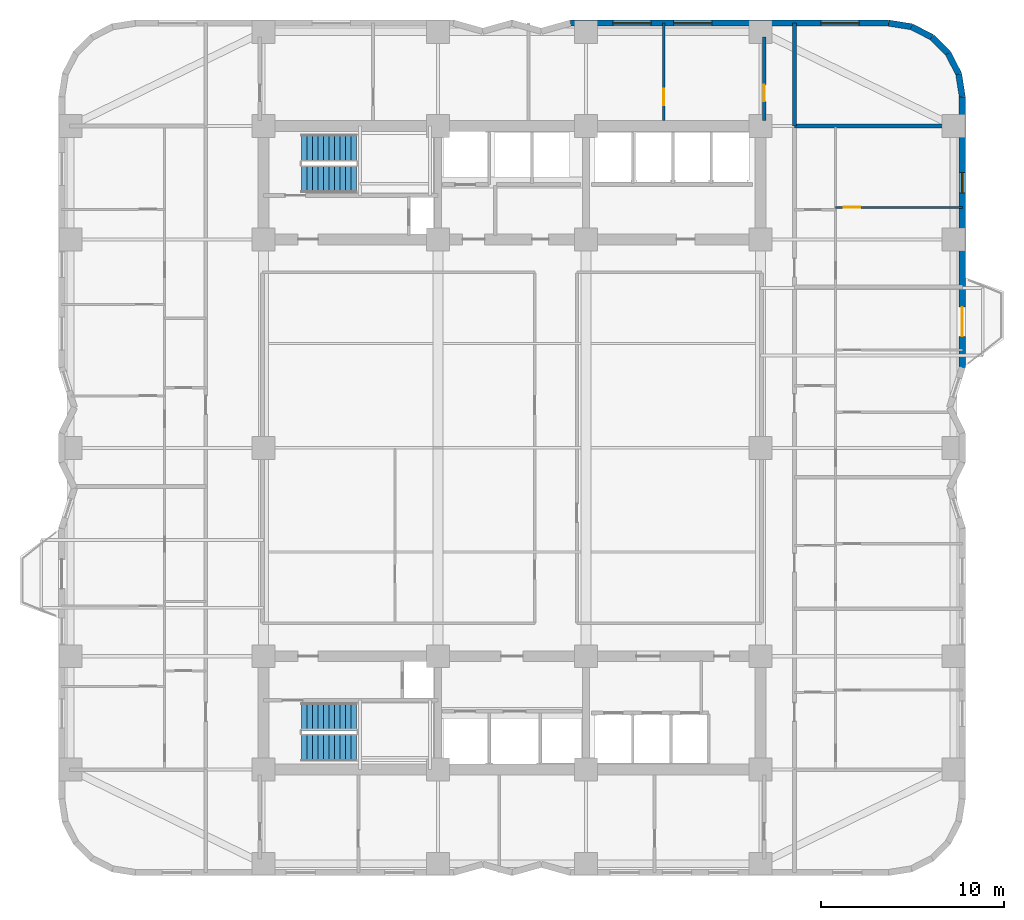
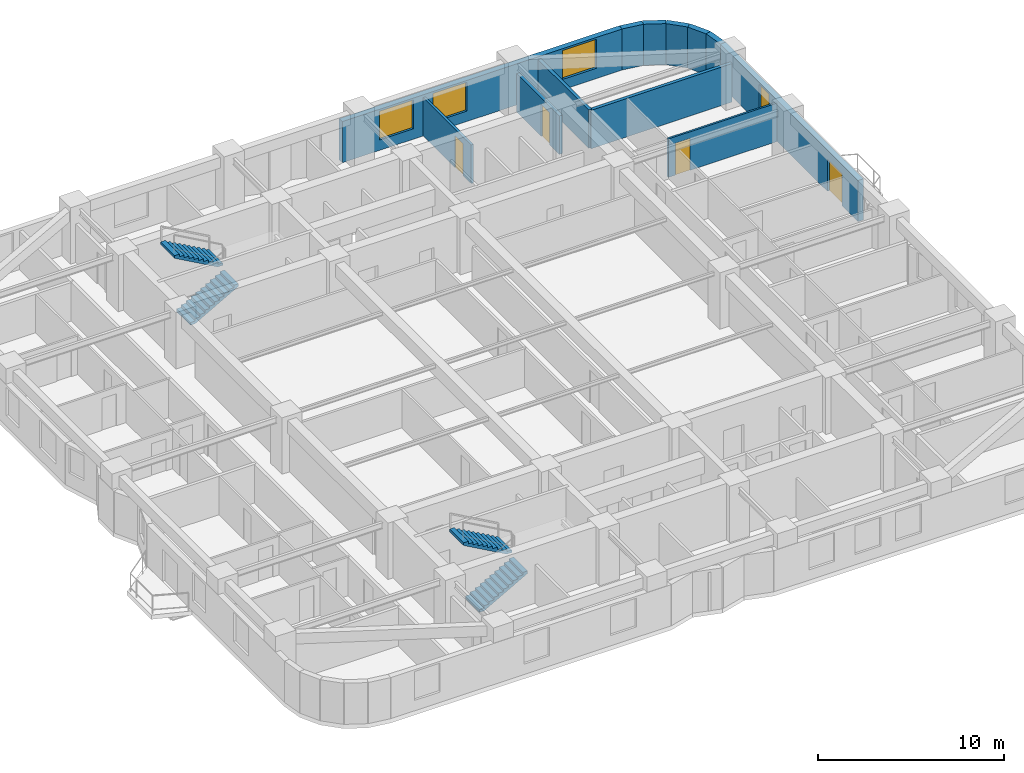
# One storey, part 7 of 9: 12 walls, 4 doors, 4 stair flights, 4 windows, 8 openings, 2 elements without a shape of their own.
"""IFC4 building model written with IfcOpenShell, lengths in metres."""

from ifc_helpers import new_model, si_unit, direction, frame, frame_2d, origin, place, context, subcontext, project, spatial, polyline, rectangle, outline, extrude, material, layer, layer_set, type_object, element, fill, aggregate, save


model = new_model("IFC4")

# Units and contexts
model_context = context("Model", 3, precision=1e-05, world=origin(), true_north=direction((0.0, 1.0)))
body_context = subcontext(model_context, "Body", "Model", "MODEL_VIEW")
ifc_project = project(units=[si_unit("LENGTHUNIT", "METRE"), si_unit("AREAUNIT", "SQUARE_METRE"), si_unit("VOLUMEUNIT", "CUBIC_METRE"), si_unit("PLANEANGLEUNIT", "RADIAN"), si_unit("MASSUNIT", "GRAM", prefix="KILO")], contexts=[model_context])

# Site, building, storey
site_placement = place(None, origin())
site = spatial("IfcSite", under=ifc_project, at=site_placement, CompositionType="ELEMENT")
building_placement = place(site_placement, origin())
building = spatial("IfcBuilding", under=site, at=building_placement, Name="Svetorya Sky Lyceum", CompositionType="ELEMENT")
storey_placement = place(building_placement, frame((0.0, 0.0, 65.800048828125)))
storey = spatial("IfcBuildingStorey", under=building, at=storey_placement, Name="L16", CompositionType="ELEMENT", Elevation=65.800048828125)

# Wall, openings, door, window
ifc_material_1 = material(Name="Putilovo limestone rainscreen on autoclaved cellular masonry", Category="masonry")
ifc_layer_1 = layer(ifc_material_1, 0.340087890625)
ifc_layer_set_1 = layer_set([ifc_layer_1], Name="Putilovo limestone rainscreen on autoclaved cellular masonry")
wall_type_1 = type_object("IfcWallType", Name="WL-EXT-340", PredefinedType="SOLIDWALL", material=ifc_layer_set_1)
wall_1_placement = place(storey_placement, frame((63.830078125, 32.60009765625, 0.0), z_axis=(0.0, 0.0, 1.0), x_axis=(0.0, 1.0, 0.0)))
wall_1 = element("IfcWall", 1, at=wall_1_placement, inside=storey, type_object=wall_type_1, Name="L16 Limestone Exterior Wall 23M", PredefinedType="SOLIDWALL", context=body_context, shape_type="SweptSolid", body=[
    extrude(rectangle(XDim=14.7998046875, YDim=0.340087890625, at=frame_2d((7.39990234375, 0.0))), origin(), (0.0, 0.0, 1.0), 2.699951171875),
])
opening_1_placement = place(wall_1_placement, frame((1.699951171875, 0.0, 0.0)))
opening_1 = element("IfcOpeningElement", 2, at=opening_1_placement, cuts=wall_1, Name="Opening D-BL1", PredefinedType="OPENING", context=body_context, shape_type="SweptSolid", body=[
    extrude(rectangle(XDim=1.60009765625, YDim=2.10009765625, at=frame_2d((0.800048828125, 1.050048828125))), frame((0.0, 0.179931640625, 0.0), z_axis=(0.0, -1.0, 0.0), x_axis=(1.0, 0.0, 0.0)), (0.0, 0.0, 1.0), 0.360107421875),
])
opening_2_placement = place(wall_1_placement, frame((9.550048828125, 0.0, 0.929931640625)))
opening_2 = element("IfcOpeningElement", 3, at=opening_2_placement, cuts=wall_1, Name="Opening W-R3", PredefinedType="OPENING", context=body_context, shape_type="SweptSolid", body=[
    extrude(rectangle(XDim=1.10009765625, YDim=1.64990234375, at=frame_2d((0.550048828125, 0.824951171875))), frame((0.0, 0.179931640625, 0.0), z_axis=(0.0, -1.0, 0.0), x_axis=(1.0, 0.0, 0.0)), (0.0, 0.0, 1.0), 0.360107421875),
])
ifc_material_2 = material(Name="Insulated glazed aluminium balcony door", Category="aluminium")
door_type_1 = type_object("IfcDoorType", Name="DR-BAL-1600", OperationType="DOUBLE_DOOR_SINGLE_SWING", PredefinedType="DOOR", material=ifc_material_2)
door_1_placement = place(opening_1_placement, origin())
door_1 = element("IfcDoor", 4, at=door_1_placement, inside=storey, type_object=door_type_1, Name="L16 Balcony BAL-E1 Door", OperationType="DOUBLE_DOOR_SINGLE_SWING", OverallHeight=2.10009765625, OverallWidth=1.60009765625, PredefinedType="DOOR", context=body_context, shape_type="SweptSolid", body=[
    extrude(rectangle(XDim=1.60009765625, YDim=2.10009765625, at=frame_2d((0.800048828125, 1.050048828125))), frame((0.0, 0.02490234375, 0.0), z_axis=(0.0, -1.0, 0.0), x_axis=(1.0, 0.0, 0.0)), (0.0, 0.0, 1.0), 0.050048828125),
])
fill(opening_1, door_1)
ifc_material_3 = material(Name="Thermally broken aluminium frame with triple low-E glazing", Category="aluminium")
window_type_1 = type_object("IfcWindowType", Name="WN-RES-110", PartitioningType="SINGLE_PANEL", PredefinedType="WINDOW", material=ifc_material_3)
window_1_placement = place(opening_2_placement, origin())
window_1 = element("IfcWindow", 5, at=window_1_placement, inside=storey, type_object=window_type_1, Name="L16 Facade Window W-R3.23M.1", OverallHeight=1.64990234375, OverallWidth=1.10009765625, PartitioningType="SINGLE_PANEL", PredefinedType="WINDOW", context=body_context, shape_type="SweptSolid", body=[
    extrude(rectangle(XDim=1.10009765625, YDim=1.64990234375, at=frame_2d((0.550048828125, 0.824951171875))), frame((0.0, 0.030029296875, 0.0), z_axis=(0.0, -1.0, 0.0), x_axis=(1.0, 0.0, 0.0)), (0.0, 0.0, 1.0), 0.06005859375),
])
fill(opening_2, window_1)

# Walls
for number, where, z_axis, x_axis, name in (
    (6, (63.830078125, 47.39990234375, 0.0), (0.0, 0.0, 1.0), (-0.15644975923, 0.987685918112, 0.0), "L16 Limestone Exterior Wall 24M"),
    (7, (63.6328125, 48.645263671875, 0.0), (0.0, 0.0, 1.0), (-0.454015689056, 0.890993689142, 0.0), "L16 Limestone Exterior Wall 25M"),
    (8, (63.060302734375, 49.768798828125, 0.0), (0.0, 0.0, 1.0), (-0.707106781187, 0.707106781187, 0.0), "L16 Limestone Exterior Wall 26M"),
):
    element("IfcWall", number, at=place(storey_placement, frame(where, z_axis=z_axis, x_axis=x_axis)), inside=storey, type_object=wall_type_1, Name=name, PredefinedType="SOLIDWALL", context=body_context, shape_type="SweptSolid", body=[
        extrude(rectangle(XDim=1.260986328125, YDim=0.340087890625, at=frame_2d((0.63037109375, 0.0))), origin(), (0.0, 0.0, 1.0), 2.699951171875),
    ])
for number, where, z_axis, x_axis, name in (
    (9, (62.168701171875, 50.660400390625, 0.0), (0.0, 0.0, 1.0), (-0.890953769915, 0.454094020963, 0.0), "L16 Limestone Exterior Wall 27M"),
    (10, (61.04541015625, 51.23291015625, 0.0), (0.0, 0.0, 1.0), (-0.98771582066, 0.156260864002, 0.0), "L16 Limestone Exterior Wall 28M"),
):
    element("IfcWall", number, at=place(storey_placement, frame(where, z_axis=z_axis, x_axis=x_axis)), inside=storey, type_object=wall_type_1, Name=name, PredefinedType="SOLIDWALL", context=body_context, shape_type="SweptSolid", body=[
        extrude(rectangle(XDim=1.2607421875, YDim=0.340087890625, at=frame_2d((0.63037109375, 0.0))), origin(), (0.0, 0.0, 1.0), 2.699951171875),
    ])

# Wall, openings, windows
wall_2_placement = place(storey_placement, frame((59.800048828125, 51.429931640625, 0.0), z_axis=(0.0, 0.0, 1.0), x_axis=(-1.0, 0.0, 0.0)))
wall_2 = element("IfcWall", 11, at=wall_2_placement, inside=storey, type_object=wall_type_1, Name="L16 Limestone Exterior Wall 29M", PredefinedType="SOLIDWALL", context=body_context, shape_type="SweptSolid", body=[
    extrude(rectangle(XDim=17.400146484375, YDim=0.340087890625, at=frame_2d((8.7001953125, 0.0))), origin(), (0.0, 0.0, 1.0), 2.699951171875),
])
opening_3_placement = place(wall_2_placement, frame((1.612548828125, 0.0, 0.679931640625)))
opening_3 = element("IfcOpeningElement", 12, at=opening_3_placement, cuts=wall_2, Name="Opening W-R0", PredefinedType="OPENING", context=body_context, shape_type="SweptSolid", body=[
    extrude(rectangle(XDim=2.10009765625, YDim=1.89990234375, at=frame_2d((1.050048828125, 0.949951171875))), frame((0.0, 0.179931640625, 0.0), z_axis=(0.0, -1.0, 0.0), x_axis=(1.0, 0.0, 0.0)), (0.0, 0.0, 1.0), 0.360107421875),
])
opening_4_placement = place(wall_2_placement, frame((9.66259765625, 0.0, 0.679931640625)))
opening_4 = element("IfcOpeningElement", 13, at=opening_4_placement, cuts=wall_2, Name="Opening W-R0", PredefinedType="OPENING", context=body_context, shape_type="SweptSolid", body=[
    extrude(rectangle(XDim=2.10009765625, YDim=1.89990234375, at=frame_2d((1.050048828125, 0.949951171875))), frame((0.0, 0.179931640625, 0.0), z_axis=(0.0, -1.0, 0.0), x_axis=(1.0, 0.0, 0.0)), (0.0, 0.0, 1.0), 0.360107421875),
])
opening_5_placement = place(wall_2_placement, frame((12.987548828125, 0.0, 0.679931640625)))
opening_5 = element("IfcOpeningElement", 14, at=opening_5_placement, cuts=wall_2, Name="Opening W-R0", PredefinedType="OPENING", context=body_context, shape_type="SweptSolid", body=[
    extrude(rectangle(XDim=2.10009765625, YDim=1.89990234375, at=frame_2d((1.050048828125, 0.949951171875))), frame((0.0, 0.179931640625, 0.0), z_axis=(0.0, -1.0, 0.0), x_axis=(1.0, 0.0, 0.0)), (0.0, 0.0, 1.0), 0.360107421875),
])
window_type_2 = type_object("IfcWindowType", Name="WN-RES-210", PartitioningType="TRIPLE_PANEL_VERTICAL", PredefinedType="WINDOW", material=ifc_material_3)
window_2_placement = place(opening_3_placement, origin())
window_2 = element("IfcWindow", 15, at=window_2_placement, inside=storey, type_object=window_type_2, Name="L16 Facade Window W-R0.29M.1", OverallHeight=1.89990234375, OverallWidth=2.10009765625, PartitioningType="SINGLE_PANEL", PredefinedType="WINDOW", context=body_context, shape_type="SweptSolid", body=[
    extrude(rectangle(XDim=2.10009765625, YDim=1.89990234375, at=frame_2d((1.050048828125, 0.949951171875))), frame((0.0, 0.030029296875, 0.0), z_axis=(0.0, -1.0, 0.0), x_axis=(1.0, 0.0, 0.0)), (0.0, 0.0, 1.0), 0.06005859375),
])
fill(opening_3, window_2)
window_3_placement = place(opening_4_placement, origin())
window_3 = element("IfcWindow", 16, at=window_3_placement, inside=storey, type_object=window_type_2, Name="L16 Facade Window W-R0.29M.2", OverallHeight=1.89990234375, OverallWidth=2.10009765625, PartitioningType="SINGLE_PANEL", PredefinedType="WINDOW", context=body_context, shape_type="SweptSolid", body=[
    extrude(rectangle(XDim=2.10009765625, YDim=1.89990234375, at=frame_2d((1.050048828125, 0.949951171875))), frame((0.0, 0.030029296875, 0.0), z_axis=(0.0, -1.0, 0.0), x_axis=(1.0, 0.0, 0.0)), (0.0, 0.0, 1.0), 0.06005859375),
])
fill(opening_4, window_3)
window_4_placement = place(opening_5_placement, origin())
window_4 = element("IfcWindow", 17, at=window_4_placement, inside=storey, type_object=window_type_2, Name="L16 Facade Window W-R0.29M.3", OverallHeight=1.89990234375, OverallWidth=2.10009765625, PartitioningType="SINGLE_PANEL", PredefinedType="WINDOW", context=body_context, shape_type="SweptSolid", body=[
    extrude(rectangle(XDim=2.10009765625, YDim=1.89990234375, at=frame_2d((1.050048828125, 0.949951171875))), frame((0.0, 0.030029296875, 0.0), z_axis=(0.0, -1.0, 0.0), x_axis=(1.0, 0.0, 0.0)), (0.0, 0.0, 1.0), 0.06005859375),
])
fill(opening_5, window_4)

# Wall, opening, door
ifc_material_4 = material(Name="Twin-stud galvanized framing with double fireboard", Category="gypsum")
ifc_layer_2 = layer(ifc_material_4, 0.1201171875)
ifc_layer_set_2 = layer_set([ifc_layer_2], Name="Twin-stud galvanized framing with double fireboard")
wall_type_2 = type_object("IfcWallType", Name="WL-PART-120", PredefinedType="PARTITIONING", material=ifc_layer_set_2)
wall_3_placement = place(storey_placement, frame((56.89990234375, 41.35009765625, 0.0), z_axis=(0.0, 0.0, 1.0), x_axis=(1.0, 0.0, 0.0)))
wall_3 = element("IfcWall", 18, at=wall_3_placement, inside=storey, type_object=wall_type_2, Name="L16 Interior Partition E4-WL1", PredefinedType="PARTITIONING", context=body_context, shape_type="SweptSolid", body=[
    extrude(rectangle(XDim=6.93017578125, YDim=0.1201171875, at=frame_2d((3.465087890625, 0.0))), origin(), (0.0, 0.0, 1.0), 2.530029296875),
])
opening_6_placement = place(wall_3_placement, frame((0.449951171875, 0.0, 0.0)))
opening_6 = element("IfcOpeningElement", 19, at=opening_6_placement, cuts=wall_3, Name="Opening D-RM1", PredefinedType="OPENING", context=body_context, shape_type="SweptSolid", body=[
    extrude(rectangle(XDim=0.89990234375, YDim=2.10009765625, at=frame_2d((0.449951171875, 1.050048828125))), frame((0.0, 0.070068359375, 0.0), z_axis=(0.0, -1.0, 0.0), x_axis=(1.0, 0.0, 0.0)), (0.0, 0.0, 1.0), 0.14013671875),
])
ifc_material_5 = material(Name="Lacquered birch veneer internal door")
door_type_2 = type_object("IfcDoorType", Name="DR-INT-900", OperationType="SINGLE_SWING_LEFT", PredefinedType="DOOR", material=ifc_material_5)
door_2_placement = place(opening_6_placement, origin())
door_2 = element("IfcDoor", 20, at=door_2_placement, inside=storey, type_object=door_type_2, Name="Apartment E4 Bedroom 1 Door", OperationType="SINGLE_SWING_LEFT", OverallHeight=2.10009765625, OverallWidth=0.89990234375, PredefinedType="DOOR", context=body_context, shape_type="SweptSolid", body=[
    extrude(rectangle(XDim=0.89990234375, YDim=2.10009765625, at=frame_2d((0.449951171875, 1.050048828125))), frame((0.0, 0.02490234375, 0.0), z_axis=(0.0, -1.0, 0.0), x_axis=(1.0, 0.0, 0.0)), (0.0, 0.0, 1.0), 0.050048828125),
])
fill(opening_6, door_2)

ifc_material_6 = material(Name="Autoclaved cellular masonry blockwork with acoustic render", Category="masonry")
ifc_layer_3 = layer(ifc_material_6, 0.14990234375)
ifc_layer_set_3 = layer_set([ifc_layer_3], Name="Autoclaved cellular masonry blockwork with acoustic render")
wall_type_3 = type_object("IfcWallType", Name="WL-PART-150", PredefinedType="PARTITIONING", material=ifc_layer_set_3)
wall_4_placement = place(storey_placement, frame((47.5, 46.10009765625, 0.0), z_axis=(0.0, 0.0, 1.0), x_axis=(0.0, 1.0, 0.0)))
wall_4 = element("IfcWall", 21, at=wall_4_placement, inside=storey, type_object=wall_type_3, Name="L16 Interior Partition N4-D3", PredefinedType="PARTITIONING", context=body_context, shape_type="SweptSolid", body=[
    extrude(rectangle(XDim=5.329833984375, YDim=0.14990234375, at=frame_2d((2.6650390625, 0.0))), origin(), (0.0, 0.0, 1.0), 2.530029296875),
])
opening_7_placement = place(wall_4_placement, frame((0.85009765625, 0.0, 0.0)))
opening_7 = element("IfcOpeningElement", 22, at=opening_7_placement, cuts=wall_4, Name="Opening D-RM1", PredefinedType="OPENING", context=body_context, shape_type="SweptSolid", body=[
    extrude(rectangle(XDim=0.89990234375, YDim=2.10009765625, at=frame_2d((0.449951171875, 1.050048828125))), frame((0.0, 0.0849609375, 0.0), z_axis=(0.0, -1.0, 0.0), x_axis=(1.0, 0.0, 0.0)), (0.0, 0.0, 1.0), 0.169921875),
])
door_3_placement = place(opening_7_placement, origin())
door_3 = element("IfcDoor", 23, at=door_3_placement, inside=storey, type_object=door_type_2, Name="L16 North Suite Door 3", OperationType="SINGLE_SWING_RIGHT", OverallHeight=2.10009765625, OverallWidth=0.89990234375, PredefinedType="DOOR", context=body_context, shape_type="SweptSolid", body=[
    extrude(rectangle(XDim=0.89990234375, YDim=2.10009765625, at=frame_2d((0.449951171875, 1.050048828125))), frame((0.0, 0.02490234375, 0.0), z_axis=(0.0, -1.0, 0.0), x_axis=(1.0, 0.0, 0.0)), (0.0, 0.0, 1.0), 0.050048828125),
])
fill(opening_7, door_3)

# Walls
ifc_material_7 = material(Name="Autoclaved cellular masonry blockwork with gypsum plaster", Category="masonry")
ifc_layer_4 = layer(ifc_material_7, 0.199951171875)
ifc_layer_set_4 = layer_set([ifc_layer_4], Name="Autoclaved cellular masonry blockwork with gypsum plaster")
wall_type_4 = type_object("IfcWallType", Name="WL-PART-200", PredefinedType="PARTITIONING", material=ifc_layer_set_4)
wall_5_placement = place(storey_placement, frame((54.64990234375, 45.800048828125, 0.0), z_axis=(0.0, 0.0, 1.0), x_axis=(1.0, 0.0, 0.0)))
element("IfcWall", 24, at=wall_5_placement, inside=storey, type_object=wall_type_4, Name="L16 Interior Partition E-CAP-N", PredefinedType="PARTITIONING", context=body_context, shape_type="SweptSolid", body=[
    extrude(rectangle(XDim=8.760009765625, YDim=0.199951171875, at=frame_2d((4.3798828125, 0.0))), origin(), (0.0, 0.0, 1.0), 2.530029296875),
])
wall_6_placement = place(storey_placement, frame((54.64990234375, 45.800048828125, 0.0), z_axis=(0.0, 0.0, 1.0), x_axis=(0.0, 1.0, 0.0)))
element("IfcWall", 25, at=wall_6_placement, inside=storey, type_object=wall_type_4, Name="L16 Interior Partition EC-NE-END", PredefinedType="PARTITIONING", context=body_context, shape_type="SweptSolid", body=[
    extrude(rectangle(XDim=5.6298828125, YDim=0.199951171875, at=frame_2d((2.81494140625, 0.0))), origin(), (0.0, 0.0, 1.0), 2.530029296875),
])

# Wall, opening, door
wall_7_placement = place(storey_placement, frame((53.0, 46.10009765625, 0.0), z_axis=(0.0, 0.0, 1.0), x_axis=(0.0, 1.0, 0.0)))
wall_7 = element("IfcWall", 26, at=wall_7_placement, inside=storey, type_object=wall_type_4, Name="L16 Interior Partition N4-EE", PredefinedType="PARTITIONING", context=body_context, shape_type="SweptSolid", body=[
    extrude(rectangle(XDim=4.579833984375, YDim=0.199951171875, at=frame_2d((2.2900390625, 0.0))), origin(), (0.0, 0.0, 1.0), 2.530029296875),
])
opening_8_placement = place(wall_7_placement, frame((1.050048828125, 0.0, 0.0)))
opening_8 = element("IfcOpeningElement", 27, at=opening_8_placement, cuts=wall_7, Name="Opening D-RM1", PredefinedType="OPENING", context=body_context, shape_type="SweptSolid", body=[
    extrude(rectangle(XDim=0.89990234375, YDim=2.10009765625, at=frame_2d((0.449951171875, 1.050048828125))), frame((0.0, 0.10986328125, 0.0), z_axis=(0.0, -1.0, 0.0), x_axis=(1.0, 0.0, 0.0)), (0.0, 0.0, 1.0), 0.219970703125),
])
door_4_placement = place(opening_8_placement, origin())
door_4 = element("IfcDoor", 28, at=door_4_placement, inside=storey, type_object=door_type_2, Name="L16 NE Office Door", OperationType="SINGLE_SWING_LEFT", OverallHeight=2.10009765625, OverallWidth=0.89990234375, PredefinedType="DOOR", context=body_context, shape_type="SweptSolid", body=[
    extrude(rectangle(XDim=0.89990234375, YDim=2.10009765625, at=frame_2d((0.449951171875, 1.050048828125))), frame((0.0, 0.02490234375, 0.0), z_axis=(0.0, -1.0, 0.0), x_axis=(1.0, 0.0, 0.0)), (0.0, 0.0, 1.0), 0.050048828125),
])
fill(opening_8, door_4)

# Stair, stair flights
ifc_material_8 = material(Name="Concrete C40/50", Category="concrete")
stair_type_1 = type_object("IfcStairType", Name="STR-ST-N", PredefinedType="HALF_TURN_STAIR", material=ifc_material_8)
stair_1_placement = place(storey_placement, origin())
stair_1 = element("IfcStair", 29, at=stair_1_placement, inside=storey, type_object=stair_type_1, Name="L16 North Core Smoke-Free Exit Stair N3", PredefinedType="HALF_TURN_STAIR")
stair_flight_type_1 = type_object("IfcStairFlightType", Name="SFL-ST-N", PredefinedType="STRAIGHT", material=ifc_material_8)
stair_flight_1_placement = place(storey_placement, frame((27.699951171875, 42.89990234375, 0.0), z_axis=(0.0, 0.0, 1.0), x_axis=(1.0, 0.0, 0.0)))
stair_flight_1 = element("IfcStairFlight", 30, at=stair_flight_1_placement, type_object=stair_flight_type_1, Name="ST-N flight 1", NumberOfRisers=11, NumberOfTreads=10, PredefinedType="STRAIGHT", RiserHeight=0.168181818, TreadLength=0.3, context=body_context, shape_type="SweptSolid", body=[
    extrude(outline(polyline([(0.0, 0.0), (0.0, 0.168212890625), (0.300048828125, 0.168212890625), (0.300048828125, 0.33642578125), (0.60009765625, 0.33642578125), (0.60009765625, 0.504638671875), (0.89990234375, 0.504638671875), (0.89990234375, 0.672607421875), (1.199951171875, 0.672607421875), (1.199951171875, 0.8408203125), (1.5, 0.8408203125), (1.5, 1.009033203125), (1.800048828125, 1.009033203125), (1.800048828125, 1.17724609375), (2.10009765625, 1.17724609375), (2.10009765625, 1.345458984375), (2.39990234375, 1.345458984375), (2.39990234375, 1.513671875), (2.699951171875, 1.513671875), (2.699951171875, 1.681884765625), (3.0, 1.681884765625), (3.0, 1.85009765625), (3.0, 1.510009765625), (0.306640625, 0.0), (0.0, 0.0)])), frame((0.0, 0.75, 0.0), z_axis=(0.0, -1.0, 0.0), x_axis=(1.0, 0.0, 0.0)), (0.0, 0.0, 1.0), 1.5),
])
stair_flight_2_placement = place(storey_placement, frame((30.699951171875, 44.60009765625, 1.849853515625), z_axis=(0.0, 0.0, 1.0), x_axis=(-1.0, 0.0, 0.0)))
stair_flight_2 = element("IfcStairFlight", 31, at=stair_flight_2_placement, type_object=stair_flight_type_1, Name="ST-N flight 2", NumberOfRisers=11, NumberOfTreads=10, PredefinedType="STRAIGHT", RiserHeight=0.168181818, TreadLength=0.3, context=body_context, shape_type="SweptSolid", body=[
    extrude(outline(polyline([(0.0, 0.0), (0.0, 0.168212890625), (0.300048828125, 0.168212890625), (0.300048828125, 0.33642578125), (0.60009765625, 0.33642578125), (0.60009765625, 0.504638671875), (0.89990234375, 0.504638671875), (0.89990234375, 0.672607421875), (1.199951171875, 0.672607421875), (1.199951171875, 0.8408203125), (1.5, 0.8408203125), (1.5, 1.009033203125), (1.800048828125, 1.009033203125), (1.800048828125, 1.17724609375), (2.10009765625, 1.17724609375), (2.10009765625, 1.345458984375), (2.39990234375, 1.345458984375), (2.39990234375, 1.513671875), (2.699951171875, 1.513671875), (2.699951171875, 1.681884765625), (3.0, 1.681884765625), (3.0, 1.85009765625), (3.0, 1.510009765625), (0.306640625, 0.0), (0.0, 0.0)])), frame((0.0, 0.75, 0.0), z_axis=(0.0, -1.0, 0.0), x_axis=(1.0, 0.0, 0.0)), (0.0, 0.0, 1.0), 1.5),
])
aggregate(stair_1, [stair_flight_1, stair_flight_2])

stair_type_2 = type_object("IfcStairType", Name="STR-ST-S", PredefinedType="HALF_TURN_STAIR", material=ifc_material_8)
stair_2_placement = place(storey_placement, origin())
stair_2 = element("IfcStair", 32, at=stair_2_placement, inside=storey, type_object=stair_type_2, Name="L16 South Core Smoke-Free Exit Stair N2", PredefinedType="HALF_TURN_STAIR")
stair_flight_type_2 = type_object("IfcStairFlightType", Name="SFL-ST-S", PredefinedType="STRAIGHT", material=ifc_material_8)
stair_flight_3_placement = place(storey_placement, frame((27.699951171875, 11.800048828125, 0.0), z_axis=(0.0, 0.0, 1.0), x_axis=(1.0, 0.0, 0.0)))
stair_flight_3 = element("IfcStairFlight", 33, at=stair_flight_3_placement, type_object=stair_flight_type_2, Name="ST-S flight 1", NumberOfRisers=11, NumberOfTreads=10, PredefinedType="STRAIGHT", RiserHeight=0.168181818, TreadLength=0.3, context=body_context, shape_type="SweptSolid", body=[
    extrude(outline(polyline([(0.0, 0.0), (0.0, 0.168212890625), (0.300048828125, 0.168212890625), (0.300048828125, 0.33642578125), (0.60009765625, 0.33642578125), (0.60009765625, 0.504638671875), (0.89990234375, 0.504638671875), (0.89990234375, 0.672607421875), (1.199951171875, 0.672607421875), (1.199951171875, 0.8408203125), (1.5, 0.8408203125), (1.5, 1.009033203125), (1.800048828125, 1.009033203125), (1.800048828125, 1.17724609375), (2.10009765625, 1.17724609375), (2.10009765625, 1.345458984375), (2.39990234375, 1.345458984375), (2.39990234375, 1.513671875), (2.699951171875, 1.513671875), (2.699951171875, 1.681884765625), (3.0, 1.681884765625), (3.0, 1.85009765625), (3.0, 1.510009765625), (0.306640625, 0.0), (0.0, 0.0)])), frame((0.0, 0.75, 0.0), z_axis=(0.0, -1.0, 0.0), x_axis=(1.0, 0.0, 0.0)), (0.0, 0.0, 1.0), 1.5),
])
stair_flight_4_placement = place(storey_placement, frame((30.699951171875, 13.5, 1.849853515625), z_axis=(0.0, 0.0, 1.0), x_axis=(-1.0, 0.0, 0.0)))
stair_flight_4 = element("IfcStairFlight", 34, at=stair_flight_4_placement, type_object=stair_flight_type_2, Name="ST-S flight 2", NumberOfRisers=11, NumberOfTreads=10, PredefinedType="STRAIGHT", RiserHeight=0.168181818, TreadLength=0.3, context=body_context, shape_type="SweptSolid", body=[
    extrude(outline(polyline([(0.0, 0.0), (0.0, 0.168212890625), (0.300048828125, 0.168212890625), (0.300048828125, 0.33642578125), (0.60009765625, 0.33642578125), (0.60009765625, 0.504638671875), (0.89990234375, 0.504638671875), (0.89990234375, 0.672607421875), (1.199951171875, 0.672607421875), (1.199951171875, 0.8408203125), (1.5, 0.8408203125), (1.5, 1.009033203125), (1.800048828125, 1.009033203125), (1.800048828125, 1.17724609375), (2.10009765625, 1.17724609375), (2.10009765625, 1.345458984375), (2.39990234375, 1.345458984375), (2.39990234375, 1.513671875), (2.699951171875, 1.513671875), (2.699951171875, 1.681884765625), (3.0, 1.681884765625), (3.0, 1.85009765625), (3.0, 1.510009765625), (0.306640625, 0.0), (0.0, 0.0)])), frame((0.0, 0.75, 0.0), z_axis=(0.0, -1.0, 0.0), x_axis=(1.0, 0.0, 0.0)), (0.0, 0.0, 1.0), 1.5),
])
aggregate(stair_2, [stair_flight_3, stair_flight_4])

save(model, "model.ifc")
